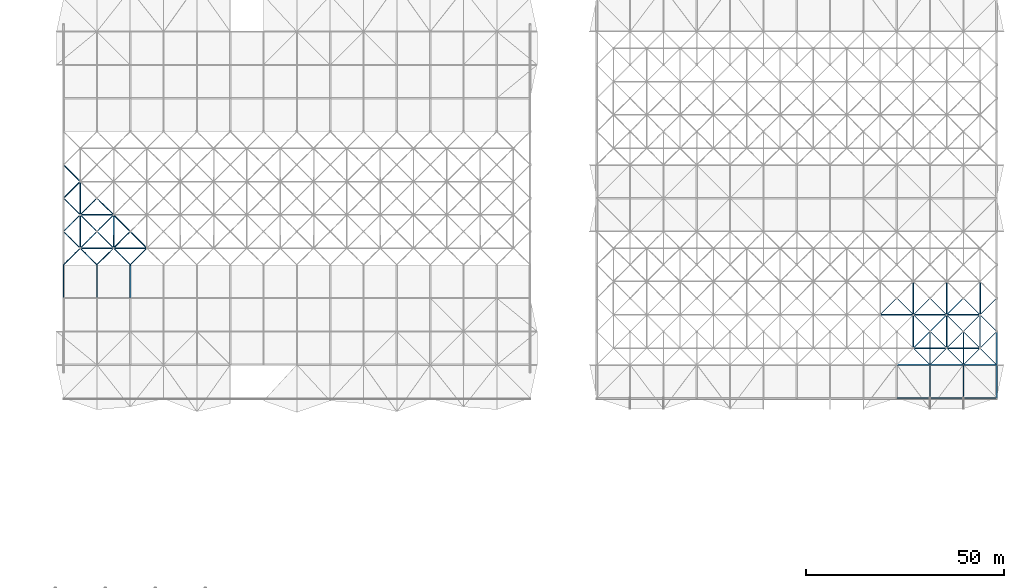
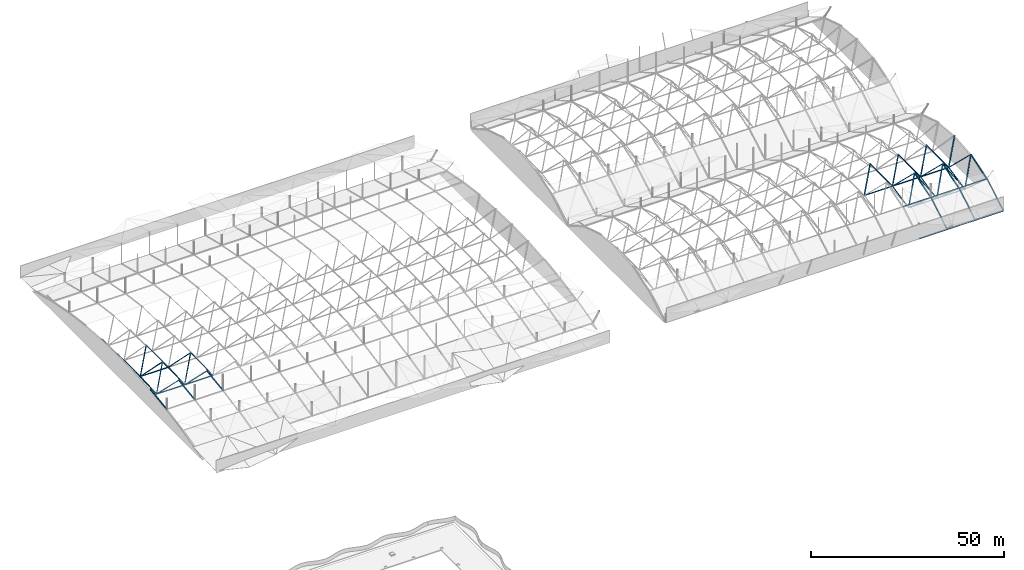
# One storey, part 4 of 111: 73 members.
"""IFC4 building model written with IfcOpenShell, lengths in metres."""

import ifcopenshell
import ifcopenshell.guid

model = None  # the IFC model being written
_history = None  # IfcOwnerHistory: only IFC2X3 demands one
_inside = {}  # id of a spatial element -> (the spatial element, [elements in it])
_under = {}  # id of a project, library or spatial element -> (it, [spatial elements below it])
_declared = {}  # id of a project -> (the project, [libraries it declares])
_typed = {}  # id of a type object -> (the type object, [elements of that type])
_made_of = {}  # id of a material, layer set ... -> (it, [elements and type objects made of it])


def new_model(schema):
    """Start an empty IFC model of exactly this schema.

    Asked for "IFC4X3", IfcOpenShell would pick the latest addendum, in which some entities
    have other attributes; the version numbers below select the first issue.
    IFC2X3 requires an IfcOwnerHistory on every rooted entity: one is made here for all.
    """
    global model, _history
    if schema == "IFC4X3":
        model = ifcopenshell.file(schema_version=(4, 3, 0, 0))
    else:
        model = ifcopenshell.file(schema=schema)
    _inside.clear()
    _under.clear()
    _declared.clear()
    _typed.clear()
    _made_of.clear()
    _history = None
    if model.schema == "IFC2X3":
        org = make("IfcOrganization", Name="unknown")
        user = make(
            "IfcPersonAndOrganization",
            ThePerson=make("IfcPerson", FamilyName="unknown"),
            TheOrganization=org,
        )
        app = make(
            "IfcApplication",
            ApplicationDeveloper=org,
            Version="unknown",
            ApplicationFullName="unknown",
            ApplicationIdentifier="unknown",
        )
        _history = make(
            "IfcOwnerHistory",
            OwningUser=user,
            OwningApplication=app,
            ChangeAction="ADDED",
            CreationDate=0,
        )
    return model


def make(cls, **values):
    """One entity of the class cls with the attributes given. An attribute that is None is left unset."""
    return model.create_entity(
        cls, **{name: value for name, value in values.items() if value is not None}
    )


def rooted(cls, **values):
    """An entity with a GlobalId (a new one), such as an element, a storey or a relation."""
    return make(cls, GlobalId=ifcopenshell.guid.new(), OwnerHistory=_history, **values)


def si_unit(unit_type, name, prefix=None):
    """IfcSIUnit, for example si_unit("LENGTHUNIT", "METRE", prefix="MILLI")."""
    return make("IfcSIUnit", UnitType=unit_type, Prefix=prefix, Name=name)


def assignment(units):
    """IfcUnitAssignment: the units of a project."""
    return None if units is None else make("IfcUnitAssignment", Units=units)


def point(xyz):
    """IfcCartesianPoint."""
    return None if xyz is None else make("IfcCartesianPoint", Coordinates=xyz)


def direction(xyz):
    """IfcDirection."""
    return None if xyz is None else make("IfcDirection", DirectionRatios=xyz)


def frame(location, z_axis=None, x_axis=None):
    """IfcAxis2Placement3D, a coordinate frame: its origin and axes. An axis left out is left unset."""
    return make(
        "IfcAxis2Placement3D",
        Location=point(location),
        Axis=direction(z_axis),
        RefDirection=direction(x_axis),
    )


def frame_2d(location, x_axis=None):
    """IfcAxis2Placement2D, a coordinate frame in the plane: its origin and x axis."""
    return make(
        "IfcAxis2Placement2D", Location=point(location), RefDirection=direction(x_axis)
    )


def origin():
    """The frame at (0, 0, 0) with its axes left unset."""
    return frame((0.0, 0.0, 0.0))


def origin_2d():
    """The frame at (0, 0) in the plane with its x axis left unset."""
    return frame_2d((0.0, 0.0))


def place(relative_to, where):
    """IfcLocalPlacement: puts the frame where relative to a parent placement (None: the world)."""
    return make(
        "IfcLocalPlacement", PlacementRelTo=relative_to, RelativePlacement=where
    )


def context(
    kind, dimensions, precision=None, world=None, true_north=None, identifier=None
):
    """IfcGeometricRepresentationContext, for example the 3D "Model" context."""
    return make(
        "IfcGeometricRepresentationContext",
        ContextIdentifier=identifier,
        ContextType=kind,
        CoordinateSpaceDimension=dimensions,
        Precision=precision,
        WorldCoordinateSystem=world,
        TrueNorth=true_north,
    )


def subcontext(parent, identifier, kind, view, scale=None):
    """IfcGeometricRepresentationSubContext, for example "Body" below "Model"."""
    return make(
        "IfcGeometricRepresentationSubContext",
        ContextIdentifier=identifier,
        ContextType=kind,
        ParentContext=parent,
        TargetScale=scale,
        TargetView=view,
    )


def project(units=None, contexts=None):
    """IfcProject with its units and contexts."""
    return rooted(
        "IfcProject",
        Name="project",
        RepresentationContexts=contexts,
        UnitsInContext=assignment(units),
    )


def spatial(cls, under=None, at=None, **own):
    """A site, building, storey or space (cls), placed at a placement, below another one or the project."""
    s = rooted(cls, ObjectPlacement=at, **own)
    if under is not None:
        _under.setdefault(under.id(), (under, []))[1].append(s)
    return s


def profile(cls, at=None, kind="AREA", **sizes):
    """A parametric profile (cls). Its sizes go by their IFC names, for example OverallWidth=200.0."""
    return make(cls, ProfileType=kind, Position=at, **sizes)


def hollow_rectangle(**sizes):
    """IfcRectangleHollowProfileDef."""
    return profile("IfcRectangleHollowProfileDef", **sizes)


def extrude(swept, where, along, depth):
    """IfcExtrudedAreaSolid: the profile swept, set in the frame where, extruded along a direction by depth."""
    return make(
        "IfcExtrudedAreaSolid",
        SweptArea=swept,
        Position=where,
        ExtrudedDirection=direction(along),
        Depth=depth,
    )


def shape(context_of_items, identifier, shape_type, items):
    """IfcShapeRepresentation: the items that make up one representation, for example the "Body"."""
    return make(
        "IfcShapeRepresentation",
        ContextOfItems=context_of_items,
        RepresentationIdentifier=identifier,
        RepresentationType=shape_type,
        Items=items,
    )


def material(Name=None, Category=None):
    """IfcMaterial."""
    return make("IfcMaterial", Name=Name, Category=Category)


def material_profile(
    of_material, cross_section, Name=None, Category=None, Priority=None
):
    """IfcMaterialProfile: a cross section and its material."""
    return make(
        "IfcMaterialProfile",
        Name=Name,
        Material=of_material,
        Profile=cross_section,
        Priority=Priority,
        Category=Category,
    )


def profile_set(profiles, Name=None, composite=None):
    """IfcMaterialProfileSet."""
    return make(
        "IfcMaterialProfileSet",
        Name=Name,
        MaterialProfiles=profiles,
        CompositeProfile=composite,
    )


def made_of(thing, what):
    """Note that an element or type object is made of a material, layer set ...; save() writes the relation."""
    if what is not None:
        _made_of.setdefault(what.id(), (what, []))[1].append(thing)
    return thing


def type_object(cls, material=None, **own):
    """A type object (cls), such as IfcWallType, which elements share."""
    return made_of(rooted(cls, **own), material)


def element(
    cls,
    number,
    at=None,
    inside=None,
    cuts=None,
    type_object=None,
    material=None,
    context=None,
    identifier="Body",
    shape_type=None,
    held_by="IfcProductDefinitionShape",
    body=None,
    shapes=None,
    **own,
):
    """One element of the class cls, such as IfcWall. Its Tag is "e" and its number.

    at: its placement. inside: the storey or other place that contains it. cuts: it is an
    opening in that element (IfcRelVoidsElement). A single representation is given by context,
    identifier, shape_type and body (its items); several are given by shapes. held_by: the class
    of the entity that holds the representations. save() writes the other relations.
    """
    e = rooted(cls, Tag="e%d" % number, ObjectPlacement=at, **own)
    if body is not None:
        shapes = [shape(context, identifier, shape_type, body)]
    if shapes is not None:
        e.Representation = make(held_by, Representations=shapes)
    if inside is not None:
        _inside.setdefault(inside.id(), (inside, []))[1].append(e)
    if cuts is not None:
        rooted(
            "IfcRelVoidsElement", RelatingBuildingElement=cuts, RelatedOpeningElement=e
        )
    if type_object is not None:
        _typed.setdefault(type_object.id(), (type_object, []))[1].append(e)
    return made_of(e, material)


def aggregate(whole, parts):
    """IfcRelAggregates: a whole, such as a stair, and the parts it consists of."""
    return rooted("IfcRelAggregates", RelatingObject=whole, RelatedObjects=parts)


def save(model, path):
    """Write the relations noted so far, then the file.

    IfcRelAggregates (storeys below a building ...), IfcRelContainedInSpatialStructure (elements
    in a storey), IfcRelDefinesByType, IfcRelAssociatesMaterial and IfcRelDeclares: one each for
    every whole, place, type object, material and project.
    """
    for whole, parts in _under.values():
        aggregate(whole, parts)
    for where, things in _inside.values():
        rooted(
            "IfcRelContainedInSpatialStructure",
            RelatedElements=things,
            RelatingStructure=where,
        )
    for kind, things in _typed.values():
        rooted("IfcRelDefinesByType", RelatedObjects=things, RelatingType=kind)
    for what, things in _made_of.values():
        rooted("IfcRelAssociatesMaterial", RelatedObjects=things, RelatingMaterial=what)
    for by, libraries in _declared.values():
        rooted("IfcRelDeclares", RelatingContext=by, RelatedDefinitions=libraries)
    model.write(path)


model = new_model("IFC4")

# Units and contexts
model_context = context("Model", 3, precision=1e-05, world=origin(), true_north=direction((0.0, 1.0)))
body_context = subcontext(model_context, "Body", "Model", "MODEL_VIEW")
ifc_project = project(units=[si_unit("LENGTHUNIT", "METRE"), si_unit("AREAUNIT", "SQUARE_METRE"), si_unit("VOLUMEUNIT", "CUBIC_METRE"), si_unit("PLANEANGLEUNIT", "RADIAN"), si_unit("MASSUNIT", "GRAM", prefix="KILO")], contexts=[model_context])

# Site, building, storey
site_placement = place(None, origin())
site = spatial("IfcSite", under=ifc_project, at=site_placement, CompositionType="ELEMENT")
building_placement = place(site_placement, origin())
building = spatial("IfcBuilding", under=site, at=building_placement, Name="Rain Tree Exposition and Congress Centre", CompositionType="ELEMENT")
storey_placement = place(building_placement, frame((0.0, 0.0, 19.5)))
storey = spatial("IfcBuildingStorey", under=building, at=storey_placement, Name="RF", CompositionType="ELEMENT", Elevation=19.5)

# Members
ifc_material_1 = material(Name="Steel S355J2H", Category="steel")
ifc_material_profile_1 = material_profile(ifc_material_1, hollow_rectangle(XDim=0.14990234375, YDim=0.14990234375, WallThickness=0.00439453125, at=origin_2d()), Name="RHS 150x150x4.5")
ifc_profile_set_1 = profile_set([ifc_material_profile_1], Name="Steel S355J2H")
member_type_1 = type_object("IfcMemberType", Name="Steel brace member RHS 150x150x4.5", PredefinedType="BRACE", material=ifc_profile_set_1)
member_1_placement = place(storey_placement, frame((12.60009765625, 138.60009765625, 0.38818359375), z_axis=(-0.520986564258, -0.520986564258, 0.676125727749), x_axis=(0.707106781187, -0.707106781187, 0.0)))
element("IfcMember", 1, at=member_1_placement, inside=storey, type_object=member_type_1, Name="Diagonal 695", PredefinedType="BRACE", context=body_context, shape_type="SweptSolid", body=[
    extrude(hollow_rectangle(XDim=0.14990234375, YDim=0.14990234375, WallThickness=0.00439453125, at=origin_2d()), origin(), (0.0, 0.0, 1.0), 8.06201171875),
])
member_2_placement = place(storey_placement, frame((12.60009765625, 138.60009765625, 0.38818359375), z_axis=(0.520964500452, -0.520994783804, 0.676136394907), x_axis=(0.707127332136, 0.70708622964, 0.0)))
element("IfcMember", 2, at=member_2_placement, inside=storey, type_object=member_type_1, Name="Diagonal 696", PredefinedType="BRACE", context=body_context, shape_type="SweptSolid", body=[
    extrude(hollow_rectangle(XDim=0.14990234375, YDim=0.14990234375, WallThickness=0.00439453125, at=origin_2d()), origin(), (0.0, 0.0, 1.0), 8.061767578125),
])
member_3_placement = place(storey_placement, frame((12.60009765625, 138.60009765625, 0.38818359375), z_axis=(-0.491886905994, 0.491858314567, 0.718416780221), x_axis=(-0.70708622964, -0.707127332136, 0.0)))
element("IfcMember", 3, at=member_3_placement, inside=storey, type_object=member_type_1, Name="Diagonal 697", PredefinedType="BRACE", context=body_context, shape_type="SweptSolid", body=[
    extrude(hollow_rectangle(XDim=0.14990234375, YDim=0.14990234375, WallThickness=0.00439453125, at=origin_2d()), origin(), (0.0, 0.0, 1.0), 8.5390625),
])
member_4_placement = place(storey_placement, frame((12.60009765625, 138.60009765625, 0.38818359375), z_axis=(0.491865231884, 0.491865231884, 0.718426883773), x_axis=(-0.707106781187, 0.707106781187, 0.0)))
element("IfcMember", 4, at=member_4_placement, inside=storey, type_object=member_type_1, Name="Diagonal 698", PredefinedType="BRACE", context=body_context, shape_type="SweptSolid", body=[
    extrude(hollow_rectangle(XDim=0.14990234375, YDim=0.14990234375, WallThickness=0.00439453125, at=origin_2d()), origin(), (0.0, 0.0, 1.0), 8.538818359375),
])
for number, where, z_axis, x_axis, name in (
    (5, (21.0, 138.60009765625, 0.38818359375), (-0.520964500452, -0.520994783804, 0.676136394907), (0.707127332136, -0.70708622964, 0.0), "Diagonal 701"),
    (6, (21.0, 138.60009765625, 0.38818359375), (0.520964500452, -0.520994783804, 0.676136394907), (0.707127332136, 0.70708622964, 0.0), "Diagonal 702"),
):
    element("IfcMember", number, at=place(storey_placement, frame(where, z_axis=z_axis, x_axis=x_axis)), inside=storey, type_object=member_type_1, Name=name, PredefinedType="BRACE", context=body_context, shape_type="SweptSolid", body=[
        extrude(hollow_rectangle(XDim=0.14990234375, YDim=0.14990234375, WallThickness=0.00439453125, at=origin_2d()), origin(), (0.0, 0.0, 1.0), 8.061767578125),
    ])
for number, where, z_axis, x_axis, name in (
    (7, (21.0, 138.60009765625, 0.38818359375), (-0.491865231884, 0.491865231884, 0.718426883773), (-0.707106781187, -0.707106781187, 0.0), "Diagonal 703"),
    (8, (21.0, 138.60009765625, 0.38818359375), (0.491865231884, 0.491865231884, 0.718426883773), (-0.707106781187, 0.707106781187, 0.0), "Diagonal 704"),
):
    element("IfcMember", number, at=place(storey_placement, frame(where, z_axis=z_axis, x_axis=x_axis)), inside=storey, type_object=member_type_1, Name=name, PredefinedType="BRACE", context=body_context, shape_type="SweptSolid", body=[
        extrude(hollow_rectangle(XDim=0.14990234375, YDim=0.14990234375, WallThickness=0.00439453125, at=origin_2d()), origin(), (0.0, 0.0, 1.0), 8.538818359375),
    ])
member_5_placement = place(storey_placement, frame((29.39990234375, 138.60009765625, 0.38818359375), z_axis=(-0.520964500452, -0.520994783804, 0.676136394907), x_axis=(0.707127332136, -0.70708622964, 0.0)))
element("IfcMember", 9, at=member_5_placement, inside=storey, type_object=member_type_1, Name="Diagonal 707", PredefinedType="BRACE", context=body_context, shape_type="SweptSolid", body=[
    extrude(hollow_rectangle(XDim=0.14990234375, YDim=0.14990234375, WallThickness=0.00439453125, at=origin_2d()), origin(), (0.0, 0.0, 1.0), 8.061767578125),
])
member_6_placement = place(storey_placement, frame((29.39990234375, 138.60009765625, 0.38818359375), z_axis=(-0.491865231884, 0.491865231884, 0.718426883773), x_axis=(-0.707106781187, -0.707106781187, 0.0)))
element("IfcMember", 10, at=member_6_placement, inside=storey, type_object=member_type_1, Name="Diagonal 709", PredefinedType="BRACE", context=body_context, shape_type="SweptSolid", body=[
    extrude(hollow_rectangle(XDim=0.14990234375, YDim=0.14990234375, WallThickness=0.00439453125, at=origin_2d()), origin(), (0.0, 0.0, 1.0), 8.538818359375),
])
for number, where, z_axis, x_axis, name in (
    (11, (12.60009765625, 147.0, 0.84326171875), (-0.511090272234, -0.511060564592, 0.691088874854), (0.70708622964, -0.707127332136, 0.0), "Diagonal 778"),
    (12, (12.60009765625, 147.0, 0.84326171875), (0.511068324122, -0.511068324122, 0.691099367788), (0.707106781187, 0.707106781187, 0.0), "Diagonal 779"),
):
    element("IfcMember", number, at=place(storey_placement, frame(where, z_axis=z_axis, x_axis=x_axis)), inside=storey, type_object=member_type_1, Name=name, PredefinedType="BRACE", context=body_context, shape_type="SweptSolid", body=[
        extrude(hollow_rectangle(XDim=0.14990234375, YDim=0.14990234375, WallThickness=0.00439453125, at=origin_2d()), origin(), (0.0, 0.0, 1.0), 8.218017578125),
    ])
for number, where, z_axis, x_axis, name in (
    (13, (12.60009765625, 147.0, 0.84326171875), (-0.50140805933, 0.501378914477, 0.70513058518), (-0.70708622964, -0.707127332136, 0.0), "Diagonal 780"),
    (14, (12.60009765625, 147.0, 0.84326171875), (0.501386241307, 0.501386241307, 0.705140889507), (-0.707106781187, 0.707106781187, 0.0), "Diagonal 781"),
):
    element("IfcMember", number, at=place(storey_placement, frame(where, z_axis=z_axis, x_axis=x_axis)), inside=storey, type_object=member_type_1, Name=name, PredefinedType="BRACE", context=body_context, shape_type="SweptSolid", body=[
        extrude(hollow_rectangle(XDim=0.14990234375, YDim=0.14990234375, WallThickness=0.00439453125, at=origin_2d()), origin(), (0.0, 0.0, 1.0), 8.376708984375),
    ])
for number, where, z_axis, x_axis, name in (
    (15, (21.0, 147.0, 0.84326171875), (-0.511068324122, -0.511068324122, 0.691099367788), (0.707106781187, -0.707106781187, 0.0), "Diagonal 784"),
    (16, (21.0, 147.0, 0.84326171875), (0.511068324122, -0.511068324122, 0.691099367788), (0.707106781187, 0.707106781187, 0.0), "Diagonal 785"),
):
    element("IfcMember", number, at=place(storey_placement, frame(where, z_axis=z_axis, x_axis=x_axis)), inside=storey, type_object=member_type_1, Name=name, PredefinedType="BRACE", context=body_context, shape_type="SweptSolid", body=[
        extrude(hollow_rectangle(XDim=0.14990234375, YDim=0.14990234375, WallThickness=0.00439453125, at=origin_2d()), origin(), (0.0, 0.0, 1.0), 8.218017578125),
    ])
for number, where, z_axis, x_axis, name in (
    (17, (21.0, 147.0, 0.84326171875), (-0.501386241307, 0.501386241307, 0.705140889507), (-0.707106781187, -0.707106781187, 0.0), "Diagonal 786"),
    (18, (12.60009765625, 155.39990234375, 0.84326171875), (-0.50140805933, -0.501378914477, 0.70513058518), (0.70708622964, -0.707127332136, 0.0), "Diagonal 861"),
):
    element("IfcMember", number, at=place(storey_placement, frame(where, z_axis=z_axis, x_axis=x_axis)), inside=storey, type_object=member_type_1, Name=name, PredefinedType="BRACE", context=body_context, shape_type="SweptSolid", body=[
        extrude(hollow_rectangle(XDim=0.14990234375, YDim=0.14990234375, WallThickness=0.00439453125, at=origin_2d()), origin(), (0.0, 0.0, 1.0), 8.376708984375),
    ])
member_7_placement = place(storey_placement, frame((12.60009765625, 155.39990234375, 0.84326171875), z_axis=(-0.511082512606, 0.511082512606, 0.691078382397), x_axis=(-0.707106781187, -0.707106781187, 0.0)))
element("IfcMember", 19, at=member_7_placement, inside=storey, type_object=member_type_1, Name="Diagonal 863", PredefinedType="BRACE", context=body_context, shape_type="SweptSolid", body=[
    extrude(hollow_rectangle(XDim=0.14990234375, YDim=0.14990234375, WallThickness=0.00439453125, at=origin_2d()), origin(), (0.0, 0.0, 1.0), 8.21826171875),
])
ifc_material_2 = material(Name="Steel S355J2H", Category="steel")
ifc_material_profile_2 = material_profile(ifc_material_2, hollow_rectangle(XDim=0.199951171875, YDim=0.199951171875, WallThickness=0.009033203125, at=origin_2d()), Name="RHS 200x200x9")
ifc_profile_set_2 = profile_set([ifc_material_profile_2], Name="Steel S355J2H")
member_type_2 = type_object("IfcMemberType", Name="Steel brace member RHS 200x200x9", PredefinedType="BRACE", material=ifc_profile_set_2)
member_8_placement = place(storey_placement, frame((222.60009765625, 113.39990234375, 0.965087890625), z_axis=(0.573737145755, -0.573737145755, 0.584509516742), x_axis=(0.707106781187, 0.707106781187, 0.0)))
element("IfcMember", 20, at=member_8_placement, inside=storey, type_object=member_type_2, Name="Diagonal 439", PredefinedType="BRACE", context=body_context, shape_type="SweptSolid", body=[
    extrude(hollow_rectangle(XDim=0.199951171875, YDim=0.199951171875, WallThickness=0.009033203125, at=origin_2d()), origin(), (0.0, 0.0, 1.0), 7.3203125),
])
member_9_placement = place(storey_placement, frame((222.60009765625, 113.39990234375, 0.965087890625), z_axis=(0.459935103496, 0.459961839245, 0.75953591555), x_axis=(-0.707127332136, 0.70708622964, 0.0)))
element("IfcMember", 21, at=member_9_placement, inside=storey, type_object=member_type_2, Name="Diagonal 441", PredefinedType="BRACE", context=body_context, shape_type="SweptSolid", body=[
    extrude(hollow_rectangle(XDim=0.199951171875, YDim=0.199951171875, WallThickness=0.009033203125, at=origin_2d()), origin(), (0.0, 0.0, 1.0), 9.131591796875),
])
for number, where, z_axis, x_axis, name in (
    (22, (231.0, 113.39990234375, 0.965087890625), (-0.573737145755, -0.573737145755, 0.584509516742), (0.707106781187, -0.707106781187, 0.0), "Diagonal 444"),
    (23, (231.0, 113.39990234375, 0.965087890625), (0.573737145755, -0.573737145755, 0.584509516742), (0.707106781187, 0.707106781187, 0.0), "Diagonal 445"),
):
    element("IfcMember", number, at=place(storey_placement, frame(where, z_axis=z_axis, x_axis=x_axis)), inside=storey, type_object=member_type_2, Name=name, PredefinedType="BRACE", context=body_context, shape_type="SweptSolid", body=[
        extrude(hollow_rectangle(XDim=0.199951171875, YDim=0.199951171875, WallThickness=0.009033203125, at=origin_2d()), origin(), (0.0, 0.0, 1.0), 7.3203125),
    ])
for number, where, z_axis, x_axis, name in (
    (24, (231.0, 113.39990234375, 0.965087890625), (-0.459935103496, 0.459961839245, 0.75953591555), (-0.707127332136, -0.70708622964, 0.0), "Diagonal 446"),
    (25, (231.0, 113.39990234375, 0.965087890625), (0.459935103496, 0.459961839245, 0.75953591555), (-0.707127332136, 0.70708622964, 0.0), "Diagonal 447"),
):
    element("IfcMember", number, at=place(storey_placement, frame(where, z_axis=z_axis, x_axis=x_axis)), inside=storey, type_object=member_type_2, Name=name, PredefinedType="BRACE", context=body_context, shape_type="SweptSolid", body=[
        extrude(hollow_rectangle(XDim=0.199951171875, YDim=0.199951171875, WallThickness=0.009033203125, at=origin_2d()), origin(), (0.0, 0.0, 1.0), 9.131591796875),
    ])
member_10_placement = place(storey_placement, frame((239.39990234375, 113.39990234375, 0.965087890625), z_axis=(-0.573737145755, -0.573737145755, 0.584509516742), x_axis=(0.707106781187, -0.707106781187, 0.0)))
element("IfcMember", 26, at=member_10_placement, inside=storey, type_object=member_type_2, Name="Diagonal 450", PredefinedType="BRACE", context=body_context, shape_type="SweptSolid", body=[
    extrude(hollow_rectangle(XDim=0.199951171875, YDim=0.199951171875, WallThickness=0.009033203125, at=origin_2d()), origin(), (0.0, 0.0, 1.0), 7.3203125),
])
member_11_placement = place(storey_placement, frame((239.39990234375, 113.39990234375, 0.965087890625), z_axis=(0.573759517816, -0.573726167461, 0.584498332321), x_axis=(0.70708622964, 0.707127332136, 0.0)))
element("IfcMember", 27, at=member_11_placement, inside=storey, type_object=member_type_2, Name="Diagonal 451", PredefinedType="BRACE", context=body_context, shape_type="SweptSolid", body=[
    extrude(hollow_rectangle(XDim=0.199951171875, YDim=0.199951171875, WallThickness=0.009033203125, at=origin_2d()), origin(), (0.0, 0.0, 1.0), 7.320556640625),
])
member_12_placement = place(storey_placement, frame((239.39990234375, 113.39990234375, 0.965087890625), z_axis=(-0.459935103496, 0.459961839245, 0.75953591555), x_axis=(-0.707127332136, -0.70708622964, 0.0)))
element("IfcMember", 28, at=member_12_placement, inside=storey, type_object=member_type_2, Name="Diagonal 452", PredefinedType="BRACE", context=body_context, shape_type="SweptSolid", body=[
    extrude(hollow_rectangle(XDim=0.199951171875, YDim=0.199951171875, WallThickness=0.009033203125, at=origin_2d()), origin(), (0.0, 0.0, 1.0), 9.131591796875),
])
member_13_placement = place(storey_placement, frame((239.39990234375, 113.39990234375, 0.965087890625), z_axis=(0.459956183168, 0.459956183168, 0.759526575658), x_axis=(-0.707106781187, 0.707106781187, 0.0)))
element("IfcMember", 29, at=member_13_placement, inside=storey, type_object=member_type_2, Name="Diagonal 453", PredefinedType="BRACE", context=body_context, shape_type="SweptSolid", body=[
    extrude(hollow_rectangle(XDim=0.199951171875, YDim=0.199951171875, WallThickness=0.009033203125, at=origin_2d()), origin(), (0.0, 0.0, 1.0), 9.1318359375),
])
member_14_placement = place(storey_placement, frame((214.199951171875, 121.800048828125, 2.68896484375), z_axis=(0.494916318018, 0.494916318018, 0.714223827885), x_axis=(-0.707106781187, 0.707106781187, 0.0)))
element("IfcMember", 30, at=member_14_placement, inside=storey, type_object=member_type_2, Name="Diagonal 506", PredefinedType="BRACE", context=body_context, shape_type="SweptSolid", body=[
    extrude(hollow_rectangle(XDim=0.199951171875, YDim=0.199951171875, WallThickness=0.009033203125, at=origin_2d()), origin(), (0.0, 0.0, 1.0), 8.486083984375),
])
member_15_placement = place(storey_placement, frame((222.60009765625, 121.800048828125, 2.68896484375), z_axis=(0.531497919506, -0.531497919506, 0.65956040142), x_axis=(0.707106781187, 0.707106781187, 0.0)))
element("IfcMember", 31, at=member_15_placement, inside=storey, type_object=member_type_2, Name="Diagonal 510", PredefinedType="BRACE", context=body_context, shape_type="SweptSolid", body=[
    extrude(hollow_rectangle(XDim=0.199951171875, YDim=0.199951171875, WallThickness=0.009033203125, at=origin_2d()), origin(), (0.0, 0.0, 1.0), 7.902099609375),
])
member_16_placement = place(storey_placement, frame((222.60009765625, 121.800048828125, 2.68896484375), z_axis=(-0.494938039954, 0.494909271177, 0.714213658445), x_axis=(-0.70708622964, -0.707127332136, 0.0)))
element("IfcMember", 32, at=member_16_placement, inside=storey, type_object=member_type_2, Name="Diagonal 511", PredefinedType="BRACE", context=body_context, shape_type="SweptSolid", body=[
    extrude(hollow_rectangle(XDim=0.199951171875, YDim=0.199951171875, WallThickness=0.009033203125, at=origin_2d()), origin(), (0.0, 0.0, 1.0), 8.486328125),
])
member_17_placement = place(storey_placement, frame((222.60009765625, 121.800048828125, 2.68896484375), z_axis=(0.494916318018, 0.494916318018, 0.714223827885), x_axis=(-0.707106781187, 0.707106781187, 0.0)))
element("IfcMember", 33, at=member_17_placement, inside=storey, type_object=member_type_2, Name="Diagonal 512", PredefinedType="BRACE", context=body_context, shape_type="SweptSolid", body=[
    extrude(hollow_rectangle(XDim=0.199951171875, YDim=0.199951171875, WallThickness=0.009033203125, at=origin_2d()), origin(), (0.0, 0.0, 1.0), 8.486083984375),
])
for number, where, z_axis, x_axis, name in (
    (34, (231.0, 121.800048828125, 2.68896484375), (-0.531497919506, -0.531497919506, 0.65956040142), (0.707106781187, -0.707106781187, 0.0), "Diagonal 515"),
    (35, (231.0, 121.800048828125, 2.68896484375), (0.531497919506, -0.531497919506, 0.65956040142), (0.707106781187, 0.707106781187, 0.0), "Diagonal 516"),
):
    element("IfcMember", number, at=place(storey_placement, frame(where, z_axis=z_axis, x_axis=x_axis)), inside=storey, type_object=member_type_2, Name=name, PredefinedType="BRACE", context=body_context, shape_type="SweptSolid", body=[
        extrude(hollow_rectangle(XDim=0.199951171875, YDim=0.199951171875, WallThickness=0.009033203125, at=origin_2d()), origin(), (0.0, 0.0, 1.0), 7.902099609375),
    ])
for number, where, z_axis, x_axis, name in (
    (36, (231.0, 121.800048828125, 2.68896484375), (-0.494916318018, 0.494916318018, 0.714223827885), (-0.707106781187, -0.707106781187, 0.0), "Diagonal 517"),
    (37, (231.0, 121.800048828125, 2.68896484375), (0.494916318018, 0.494916318018, 0.714223827885), (-0.707106781187, 0.707106781187, 0.0), "Diagonal 518"),
):
    element("IfcMember", number, at=place(storey_placement, frame(where, z_axis=z_axis, x_axis=x_axis)), inside=storey, type_object=member_type_2, Name=name, PredefinedType="BRACE", context=body_context, shape_type="SweptSolid", body=[
        extrude(hollow_rectangle(XDim=0.199951171875, YDim=0.199951171875, WallThickness=0.009033203125, at=origin_2d()), origin(), (0.0, 0.0, 1.0), 8.486083984375),
    ])
member_18_placement = place(storey_placement, frame((239.39990234375, 121.800048828125, 2.68896484375), z_axis=(-0.531497919506, -0.531497919506, 0.65956040142), x_axis=(0.707106781187, -0.707106781187, 0.0)))
element("IfcMember", 38, at=member_18_placement, inside=storey, type_object=member_type_2, Name="Diagonal 521", PredefinedType="BRACE", context=body_context, shape_type="SweptSolid", body=[
    extrude(hollow_rectangle(XDim=0.199951171875, YDim=0.199951171875, WallThickness=0.009033203125, at=origin_2d()), origin(), (0.0, 0.0, 1.0), 7.902099609375),
])
member_19_placement = place(storey_placement, frame((239.39990234375, 121.800048828125, 2.68896484375), z_axis=(0.531520086899, -0.531489191753, 0.659549570747), x_axis=(0.70708622964, 0.707127332136, 0.0)))
element("IfcMember", 39, at=member_19_placement, inside=storey, type_object=member_type_2, Name="Diagonal 522", PredefinedType="BRACE", context=body_context, shape_type="SweptSolid", body=[
    extrude(hollow_rectangle(XDim=0.199951171875, YDim=0.199951171875, WallThickness=0.009033203125, at=origin_2d()), origin(), (0.0, 0.0, 1.0), 7.90234375),
])
member_20_placement = place(storey_placement, frame((239.39990234375, 121.800048828125, 2.68896484375), z_axis=(-0.494916318018, 0.494916318018, 0.714223827885), x_axis=(-0.707106781187, -0.707106781187, 0.0)))
element("IfcMember", 40, at=member_20_placement, inside=storey, type_object=member_type_2, Name="Diagonal 523", PredefinedType="BRACE", context=body_context, shape_type="SweptSolid", body=[
    extrude(hollow_rectangle(XDim=0.199951171875, YDim=0.199951171875, WallThickness=0.009033203125, at=origin_2d()), origin(), (0.0, 0.0, 1.0), 8.486083984375),
])
member_21_placement = place(storey_placement, frame((239.39990234375, 121.800048828125, 2.68896484375), z_axis=(0.494938039954, 0.494909271177, 0.714213658445), x_axis=(-0.70708622964, 0.707127332136, 0.0)))
element("IfcMember", 41, at=member_21_placement, inside=storey, type_object=member_type_2, Name="Diagonal 524", PredefinedType="BRACE", context=body_context, shape_type="SweptSolid", body=[
    extrude(hollow_rectangle(XDim=0.199951171875, YDim=0.199951171875, WallThickness=0.009033203125, at=origin_2d()), origin(), (0.0, 0.0, 1.0), 8.486328125),
])
ifc_material_3 = material(Name="Steel S355J2H", Category="steel")
ifc_material_profile_3 = material_profile(ifc_material_3, hollow_rectangle(XDim=0.199951171875, YDim=0.199951171875, WallThickness=0.009033203125, at=origin_2d()), Name="RHS 200x200x9")
ifc_profile_set_3 = profile_set([ifc_material_profile_3], Name="Steel S355J2H")
member_type_3 = type_object("IfcMemberType", Name="Steel chord member RHS 200x200x9", PredefinedType="CHORD", material=ifc_profile_set_3)
member_22_placement = place(storey_placement, frame((222.60009765625, 113.39990234375, 0.965087890625), z_axis=(1.0, 0.0, 0.0), x_axis=(0.0, 1.0, 0.0)))
element("IfcMember", 42, at=member_22_placement, inside=storey, type_object=member_type_3, Name="Bottom chord 442", PredefinedType="CHORD", context=body_context, shape_type="SweptSolid", body=[
    extrude(hollow_rectangle(XDim=0.199951171875, YDim=0.199951171875, WallThickness=0.009033203125, at=origin_2d()), origin(), (0.0, 0.0, 1.0), 8.39990234375),
])
member_23_placement = place(storey_placement, frame((222.60009765625, 113.39990234375, 0.965087890625), z_axis=(0.0, 0.979585021781, 0.201030308914), x_axis=(-1.0, 0.0, 0.0)))
element("IfcMember", 43, at=member_23_placement, inside=storey, type_object=member_type_3, Name="Bottom chord 443", PredefinedType="CHORD", context=body_context, shape_type="SweptSolid", body=[
    extrude(hollow_rectangle(XDim=0.199951171875, YDim=0.199951171875, WallThickness=0.009033203125, at=origin_2d()), origin(), (0.0, 0.0, 1.0), 8.5751953125),
])
member_24_placement = place(storey_placement, frame((231.0, 113.39990234375, 0.965087890625), z_axis=(1.0, 0.0, 0.0), x_axis=(0.0, 1.0, 0.0)))
element("IfcMember", 44, at=member_24_placement, inside=storey, type_object=member_type_3, Name="Bottom chord 448", PredefinedType="CHORD", context=body_context, shape_type="SweptSolid", body=[
    extrude(hollow_rectangle(XDim=0.199951171875, YDim=0.199951171875, WallThickness=0.009033203125, at=origin_2d()), origin(), (0.0, 0.0, 1.0), 8.39990234375),
])
for number, where, z_axis, x_axis, name in (
    (45, (231.0, 113.39990234375, 0.965087890625), (0.0, 0.979585021781, 0.201030308914), (-1.0, 0.0, 0.0), "Bottom chord 449"),
    (46, (239.39990234375, 113.39990234375, 0.965087890625), (0.0, 0.979585021781, 0.201030308914), (-1.0, 0.0, 0.0), "Bottom chord 454"),
):
    element("IfcMember", number, at=place(storey_placement, frame(where, z_axis=z_axis, x_axis=x_axis)), inside=storey, type_object=member_type_3, Name=name, PredefinedType="CHORD", context=body_context, shape_type="SweptSolid", body=[
        extrude(hollow_rectangle(XDim=0.199951171875, YDim=0.199951171875, WallThickness=0.009033203125, at=origin_2d()), origin(), (0.0, 0.0, 1.0), 8.5751953125),
    ])
ifc_material_4 = material(Name="Steel S355J2H", Category="steel")
ifc_material_profile_4 = material_profile(ifc_material_4, hollow_rectangle(XDim=0.25, YDim=0.25, WallThickness=0.006103515625, at=origin_2d()), Name="RHS 250x250x6")
ifc_profile_set_4 = profile_set([ifc_material_profile_4], Name="Steel S355J2H")
member_type_4 = type_object("IfcMemberType", Name="Steel chord member RHS 250x250x6", PredefinedType="CHORD", material=ifc_profile_set_4)
member_25_placement = place(storey_placement, frame((12.60009765625, 138.60009765625, 0.38818359375), z_axis=(1.0, 0.0, 0.0), x_axis=(0.0, 1.0, 0.0)))
element("IfcMember", 47, at=member_25_placement, inside=storey, type_object=member_type_4, Name="Bottom chord 699", PredefinedType="CHORD", context=body_context, shape_type="SweptSolid", body=[
    extrude(hollow_rectangle(XDim=0.25, YDim=0.25, WallThickness=0.006103515625, at=origin_2d()), origin(), (0.0, 0.0, 1.0), 8.39990234375),
])
member_26_placement = place(storey_placement, frame((12.60009765625, 138.60009765625, 0.38818359375), z_axis=(0.0, 0.998535670844, 0.054097264734), x_axis=(-1.0, 0.0, 0.0)))
element("IfcMember", 48, at=member_26_placement, inside=storey, type_object=member_type_4, Name="Bottom chord 700", PredefinedType="CHORD", context=body_context, shape_type="SweptSolid", body=[
    extrude(hollow_rectangle(XDim=0.25, YDim=0.25, WallThickness=0.006103515625, at=origin_2d()), origin(), (0.0, 0.0, 1.0), 8.412109375),
])
member_27_placement = place(storey_placement, frame((21.0, 138.60009765625, 0.38818359375), z_axis=(1.0, 0.0, 0.0), x_axis=(0.0, 1.0, 0.0)))
element("IfcMember", 49, at=member_27_placement, inside=storey, type_object=member_type_4, Name="Bottom chord 705", PredefinedType="CHORD", context=body_context, shape_type="SweptSolid", body=[
    extrude(hollow_rectangle(XDim=0.25, YDim=0.25, WallThickness=0.006103515625, at=origin_2d()), origin(), (0.0, 0.0, 1.0), 8.39990234375),
])
member_28_placement = place(storey_placement, frame((21.0, 138.60009765625, 0.38818359375), z_axis=(0.0, 0.998535670844, 0.054097264734), x_axis=(-1.0, 0.0, 0.0)))
element("IfcMember", 50, at=member_28_placement, inside=storey, type_object=member_type_4, Name="Bottom chord 706", PredefinedType="CHORD", context=body_context, shape_type="SweptSolid", body=[
    extrude(hollow_rectangle(XDim=0.25, YDim=0.25, WallThickness=0.006103515625, at=origin_2d()), origin(), (0.0, 0.0, 1.0), 8.412109375),
])
for number, where, z_axis, x_axis, name in (
    (51, (12.60009765625, 147.0, 0.84326171875), (1.0, 0.0, 0.0), (0.0, 1.0, 0.0), "Bottom chord 782"),
    (52, (12.60009765625, 147.0, 0.84326171875), (0.0, 1.0, 0.0), (-1.0, 0.0, 0.0), "Bottom chord 783"),
):
    element("IfcMember", number, at=place(storey_placement, frame(where, z_axis=z_axis, x_axis=x_axis)), inside=storey, type_object=member_type_4, Name=name, PredefinedType="CHORD", context=body_context, shape_type="SweptSolid", body=[
        extrude(hollow_rectangle(XDim=0.25, YDim=0.25, WallThickness=0.006103515625, at=origin_2d()), origin(), (0.0, 0.0, 1.0), 8.39990234375),
    ])
member_29_placement = place(storey_placement, frame((214.199951171875, 121.800048828125, 2.68896484375), z_axis=(1.0, 0.0, 0.0), x_axis=(0.0, 1.0, 0.0)))
element("IfcMember", 53, at=member_29_placement, inside=storey, type_object=member_type_4, Name="Bottom chord 507", PredefinedType="CHORD", context=body_context, shape_type="SweptSolid", body=[
    extrude(hollow_rectangle(XDim=0.25, YDim=0.25, WallThickness=0.006103515625, at=origin_2d()), origin(), (0.0, 0.0, 1.0), 8.400146484375),
])
for number, where, z_axis, x_axis, name in (
    (54, (222.60009765625, 121.800048828125, 2.68896484375), (1.0, 0.0, 0.0), (0.0, 1.0, 0.0), "Bottom chord 513"),
    (55, (222.60009765625, 121.800048828125, 2.68896484375), (0.0, 1.0, 0.0), (-1.0, 0.0, 0.0), "Bottom chord 514"),
    (56, (231.0, 121.800048828125, 2.68896484375), (1.0, 0.0, 0.0), (0.0, 1.0, 0.0), "Bottom chord 519"),
    (57, (231.0, 121.800048828125, 2.68896484375), (0.0, 1.0, 0.0), (-1.0, 0.0, 0.0), "Bottom chord 520"),
    (58, (239.39990234375, 121.800048828125, 2.68896484375), (0.0, 1.0, 0.0), (-1.0, 0.0, 0.0), "Bottom chord 525"),
):
    element("IfcMember", number, at=place(storey_placement, frame(where, z_axis=z_axis, x_axis=x_axis)), inside=storey, type_object=member_type_4, Name=name, PredefinedType="CHORD", context=body_context, shape_type="SweptSolid", body=[
        extrude(hollow_rectangle(XDim=0.25, YDim=0.25, WallThickness=0.006103515625, at=origin_2d()), origin(), (0.0, 0.0, 1.0), 8.39990234375),
    ])
ifc_material_5 = material(Name="Steel S355J2H", Category="steel")
ifc_material_profile_5 = material_profile(ifc_material_5, hollow_rectangle(XDim=0.300048828125, YDim=0.300048828125, WallThickness=0.009033203125, at=origin_2d()), Name="RHS 300x300x9")
ifc_profile_set_5 = profile_set([ifc_material_profile_5], Name="Steel S355J2H")
member_type_5 = type_object("IfcMemberType", Name="Steel chord member RHS 300x300x9", PredefinedType="CHORD", material=ifc_profile_set_5)
for number, where, z_axis, x_axis, name in (
    (59, (8.39990234375, 126.0, 4.693115234375), (0.0, 0.990821403915, 0.135177459454), (-1.0, 0.0, 0.0), "Top chord 186"),
    (60, (16.800048828125, 126.0, 4.693115234375), (0.0, 0.990821403915, 0.135177459454), (-1.0, 0.0, 0.0), "Top chord 198"),
    (61, (25.199951171875, 126.0, 4.693115234375), (0.0, 0.990821403915, 0.135177459454), (-1.0, 0.0, 0.0), "Top chord 210"),
):
    element("IfcMember", number, at=place(storey_placement, frame(where, z_axis=z_axis, x_axis=x_axis)), inside=storey, type_object=member_type_5, Name=name, PredefinedType="CHORD", context=body_context, shape_type="SweptSolid", body=[
        extrude(hollow_rectangle(XDim=0.300048828125, YDim=0.300048828125, WallThickness=0.009033203125, at=origin_2d()), origin(), (0.0, 0.0, 1.0), 8.477783203125),
    ])
member_30_placement = place(storey_placement, frame((218.39990234375, 100.800048828125, 0.35009765625), z_axis=(1.0, 0.0, 0.0), x_axis=(0.0, 1.0, 0.0)))
element("IfcMember", 62, at=member_30_placement, inside=storey, type_object=member_type_5, Name="Top chord 10", PredefinedType="CHORD", context=body_context, shape_type="SweptSolid", body=[
    extrude(hollow_rectangle(XDim=0.300048828125, YDim=0.300048828125, WallThickness=0.009033203125, at=origin_2d()), origin(), (0.0, 0.0, 1.0), 8.400146484375),
])
member_31_placement = place(storey_placement, frame((226.800048828125, 100.800048828125, 0.35009765625), z_axis=(1.0, 0.0, 0.0), x_axis=(0.0, 1.0, 0.0)))
element("IfcMember", 63, at=member_31_placement, inside=storey, type_object=member_type_5, Name="Top chord 11", PredefinedType="CHORD", context=body_context, shape_type="SweptSolid", body=[
    extrude(hollow_rectangle(XDim=0.300048828125, YDim=0.300048828125, WallThickness=0.009033203125, at=origin_2d()), origin(), (0.0, 0.0, 1.0), 8.39990234375),
])
for number, where, z_axis, x_axis, name in (
    (64, (235.199951171875, 100.800048828125, 0.35009765625), (1.0, 0.0, 0.0), (0.0, 1.0, 0.0), "Top chord 12"),
    (65, (218.39990234375, 109.199951171875, 5.243896484375), (1.0, 0.0, 0.0), (0.0, 1.0, 0.0), "Top chord 22"),
):
    element("IfcMember", number, at=place(storey_placement, frame(where, z_axis=z_axis, x_axis=x_axis)), inside=storey, type_object=member_type_5, Name=name, PredefinedType="CHORD", context=body_context, shape_type="SweptSolid", body=[
        extrude(hollow_rectangle(XDim=0.300048828125, YDim=0.300048828125, WallThickness=0.009033203125, at=origin_2d()), origin(), (0.0, 0.0, 1.0), 8.400146484375),
    ])
member_32_placement = place(storey_placement, frame((226.800048828125, 109.199951171875, 5.243896484375), z_axis=(1.0, 0.0, 0.0), x_axis=(0.0, 1.0, 0.0)))
element("IfcMember", 66, at=member_32_placement, inside=storey, type_object=member_type_5, Name="Top chord 23", PredefinedType="CHORD", context=body_context, shape_type="SweptSolid", body=[
    extrude(hollow_rectangle(XDim=0.300048828125, YDim=0.300048828125, WallThickness=0.009033203125, at=origin_2d()), origin(), (0.0, 0.0, 1.0), 8.39990234375),
])
member_33_placement = place(storey_placement, frame((235.199951171875, 109.199951171875, 5.243896484375), z_axis=(1.0, 0.0, 0.0), x_axis=(0.0, 1.0, 0.0)))
element("IfcMember", 67, at=member_33_placement, inside=storey, type_object=member_type_5, Name="Top chord 24", PredefinedType="CHORD", context=body_context, shape_type="SweptSolid", body=[
    extrude(hollow_rectangle(XDim=0.300048828125, YDim=0.300048828125, WallThickness=0.009033203125, at=origin_2d()), origin(), (0.0, 0.0, 1.0), 8.400146484375),
])
member_34_placement = place(storey_placement, frame((226.800048828125, 100.800048828125, 0.35009765625), z_axis=(0.0, 0.864053849191, 0.503399389846), x_axis=(-1.0, 0.0, 0.0)))
element("IfcMember", 68, at=member_34_placement, inside=storey, type_object=member_type_5, Name="Top chord 277", PredefinedType="CHORD", context=body_context, shape_type="SweptSolid", body=[
    extrude(hollow_rectangle(XDim=0.300048828125, YDim=0.300048828125, WallThickness=0.009033203125, at=origin_2d()), origin(), (0.0, 0.0, 1.0), 9.721435546875),
])
member_35_placement = place(storey_placement, frame((226.800048828125, 109.199951171875, 5.243896484375), z_axis=(0.0, 0.953442263101, 0.301575613955), x_axis=(-1.0, 0.0, 0.0)))
element("IfcMember", 69, at=member_35_placement, inside=storey, type_object=member_type_5, Name="Top chord 278", PredefinedType="CHORD", context=body_context, shape_type="SweptSolid", body=[
    extrude(hollow_rectangle(XDim=0.300048828125, YDim=0.300048828125, WallThickness=0.009033203125, at=origin_2d()), origin(), (0.0, 0.0, 1.0), 8.810302734375),
])
member_36_placement = place(storey_placement, frame((235.199951171875, 100.800048828125, 0.35009765625), z_axis=(0.0, 0.864053849191, 0.503399389846), x_axis=(-1.0, 0.0, 0.0)))
element("IfcMember", 70, at=member_36_placement, inside=storey, type_object=member_type_5, Name="Top chord 289", PredefinedType="CHORD", context=body_context, shape_type="SweptSolid", body=[
    extrude(hollow_rectangle(XDim=0.300048828125, YDim=0.300048828125, WallThickness=0.009033203125, at=origin_2d()), origin(), (0.0, 0.0, 1.0), 9.721435546875),
])
member_37_placement = place(storey_placement, frame((235.199951171875, 109.199951171875, 5.243896484375), z_axis=(0.0, 0.953442263101, 0.301575613955), x_axis=(-1.0, 0.0, 0.0)))
element("IfcMember", 71, at=member_37_placement, inside=storey, type_object=member_type_5, Name="Top chord 290", PredefinedType="CHORD", context=body_context, shape_type="SweptSolid", body=[
    extrude(hollow_rectangle(XDim=0.300048828125, YDim=0.300048828125, WallThickness=0.009033203125, at=origin_2d()), origin(), (0.0, 0.0, 1.0), 8.810302734375),
])
member_38_placement = place(storey_placement, frame((243.60009765625, 100.800048828125, 0.35009765625), z_axis=(0.0, 0.864053849191, 0.503399389846), x_axis=(-1.0, 0.0, 0.0)))
element("IfcMember", 72, at=member_38_placement, inside=storey, type_object=member_type_5, Name="Top chord 301", PredefinedType="CHORD", context=body_context, shape_type="SweptSolid", body=[
    extrude(hollow_rectangle(XDim=0.300048828125, YDim=0.300048828125, WallThickness=0.009033203125, at=origin_2d()), origin(), (0.0, 0.0, 1.0), 9.721435546875),
])
member_39_placement = place(storey_placement, frame((243.60009765625, 109.199951171875, 5.243896484375), z_axis=(0.0, 0.953442263101, 0.301575613955), x_axis=(-1.0, 0.0, 0.0)))
element("IfcMember", 73, at=member_39_placement, inside=storey, type_object=member_type_5, Name="Top chord 302", PredefinedType="CHORD", context=body_context, shape_type="SweptSolid", body=[
    extrude(hollow_rectangle(XDim=0.300048828125, YDim=0.300048828125, WallThickness=0.009033203125, at=origin_2d()), origin(), (0.0, 0.0, 1.0), 8.810302734375),
])

save(model, "model.ifc")
